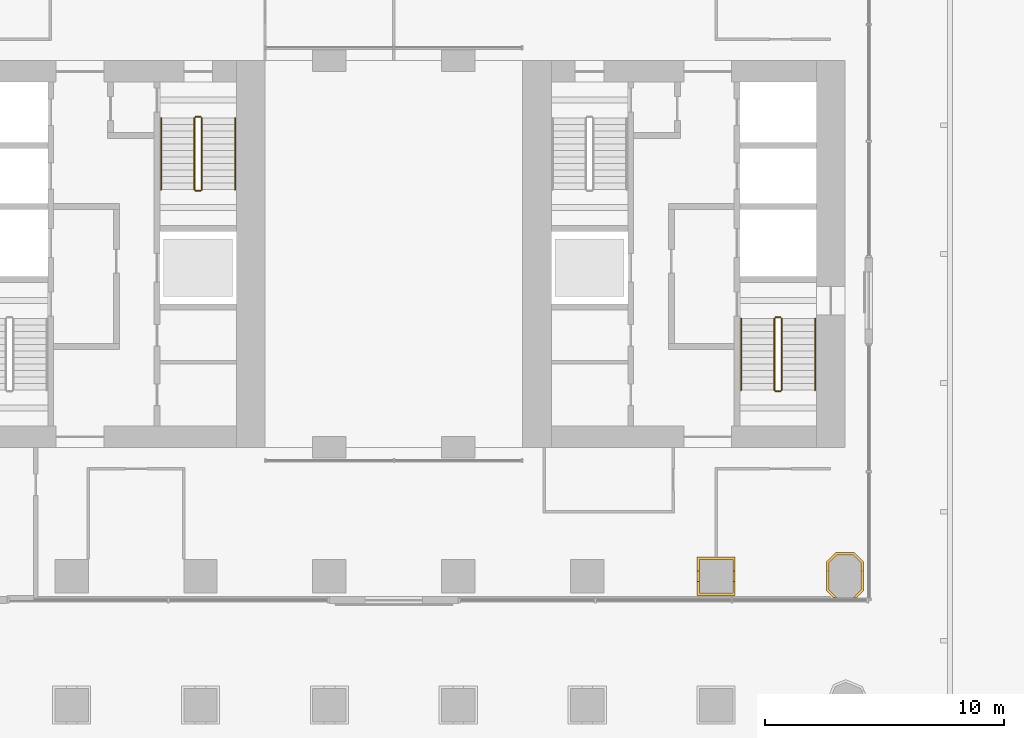
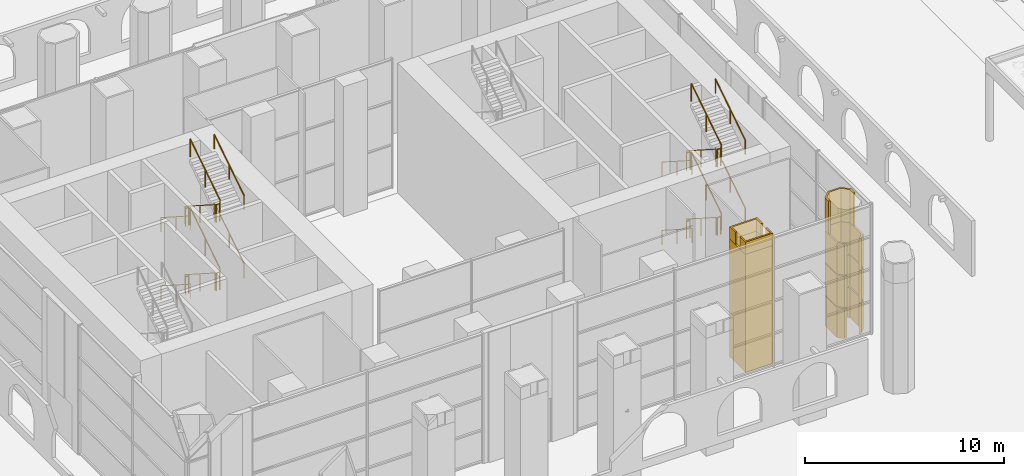
# One storey, part 43 of 54: 24 railings, 7 coverings.
"""IFC4 building model written with IfcOpenShell, lengths in metres."""

from ifc_helpers import new_model, si_unit, direction, frame, origin, origin_2d, place, context, subcontext, project, spatial, polyline, circle, outline, extrude, material, layer, layer_set, type_object, element, save


model = new_model("IFC4")

# Units and contexts
model_context = context("Model", 3, precision=1e-05, world=origin(), true_north=direction((0.0, 1.0)))
body_context = subcontext(model_context, "Body", "Model", "MODEL_VIEW")
ifc_project = project(units=[si_unit("LENGTHUNIT", "METRE"), si_unit("AREAUNIT", "SQUARE_METRE"), si_unit("VOLUMEUNIT", "CUBIC_METRE"), si_unit("PLANEANGLEUNIT", "RADIAN"), si_unit("MASSUNIT", "GRAM", prefix="KILO")], contexts=[model_context])

# Site, building, storey
site_placement = place(None, origin())
site = spatial("IfcSite", under=ifc_project, at=site_placement, CompositionType="ELEMENT")
building_placement = place(site_placement, origin())
building = spatial("IfcBuilding", under=site, at=building_placement, Name="Tabaq Tower and Sports Hall", CompositionType="ELEMENT")
storey_placement = place(building_placement, origin())
storey = spatial("IfcBuildingStorey", under=building, at=storey_placement, Name="L00", CompositionType="ELEMENT", Elevation=0.0)

# Coverings
ifc_material_1 = material(Name="Precast concrete C60/75", Category="concrete")
ifc_layer = layer(ifc_material_1, 0.10009765625)
ifc_layer_set = layer_set([ifc_layer], Name="Column cladding 100")
covering_type = type_object("IfcCoveringType", Name="Column cladding 100", PredefinedType="CLADDING", material=ifc_layer_set)
covering_1_placement = place(storey_placement, origin())
element("IfcCovering", 1, at=covering_1_placement, inside=storey, type_object=covering_type, Name="Column cladding L00 CC-8C-G", PredefinedType="CLADDING", context=body_context, shape_type="SweptSolid", body=[
    extrude(outline(polyline([(37.000244140625, 11.599609375), (38.599609375, 11.599609375), (38.599609375, 10.000244140625), (37.000244140625, 10.000244140625), (37.000244140625, 11.599609375)]), holes=[polyline([(38.500244140625, 10.099609375), (38.500244140625, 11.500244140625), (37.099609375, 11.500244140625), (37.099609375, 10.099609375), (38.500244140625, 10.099609375)])]), origin(), (0.0, 0.0, 1.0), 7.25),
])
covering_2_placement = place(storey_placement, frame((0.0, 0.0, 7.25)))
element("IfcCovering", 2, at=covering_2_placement, inside=storey, type_object=covering_type, Name="Column cladding L00 CC-8C-G head", PredefinedType="CLADDING", context=body_context, shape_type="SweptSolid", body=[
    extrude(outline(polyline([(38.599609375, 10.000244140625), (37.000244140625, 10.000244140625), (37.000244140625, 10.57470703125), (37.099609375, 10.57470703125), (37.099609375, 10.099609375), (38.500244140625, 10.099609375), (38.500244140625, 10.57470703125), (38.599609375, 10.57470703125), (38.599609375, 10.000244140625)])), origin(), (0.0, 0.0, 1.0), 0.75),
])
covering_3_placement = place(storey_placement, frame((0.0, 0.0, 7.25)))
element("IfcCovering", 3, at=covering_3_placement, inside=storey, type_object=covering_type, Name="Column cladding L00 CC-8C-G head 2", PredefinedType="CLADDING", context=body_context, shape_type="SweptSolid", body=[
    extrude(outline(polyline([(38.599609375, 11.599609375), (38.599609375, 11.025390625), (38.500244140625, 11.025390625), (38.500244140625, 11.500244140625), (37.099609375, 11.500244140625), (37.099609375, 11.025390625), (37.000244140625, 11.025390625), (37.000244140625, 11.599609375), (38.599609375, 11.599609375)])), origin(), (0.0, 0.0, 1.0), 0.75),
])
covering_4_placement = place(storey_placement, frame((0.0, 0.0, 0.1201171875)))
element("IfcCovering", 4, at=covering_4_placement, inside=storey, type_object=covering_type, Name="Column cladding L00 PC-9C-G", PredefinedType="CLADDING", context=body_context, shape_type="SweptSolid", body=[
    extrude(outline(polyline([(42.42529296875, 10.1962890625), (42.42529296875, 11.40380859375), (42.8212890625, 11.7998046875), (43.578857421875, 11.7998046875), (43.974609375, 11.40380859375), (43.974609375, 10.1962890625), (43.688720703125, 9.910400390625), (43.54833984375, 9.910400390625), (43.875244140625, 10.2373046875), (43.875244140625, 11.362548828125), (43.53759765625, 11.7001953125), (42.8623046875, 11.7001953125), (42.524658203125, 11.362548828125), (42.524658203125, 10.2373046875), (42.851806640625, 9.910400390625), (42.711181640625, 9.910400390625), (42.42529296875, 10.1962890625)])), origin(), (0.0, 0.0, 1.0), 1.83984375),
])
for number, where, name in (
    (5, (0.0, 0.0, 2.0400390625), "Column cladding L00 PC-9C-G 2"),
    (6, (0.0, 0.0, 4.0400390625), "Column cladding L00 PC-9C-G 3"),
):
    element("IfcCovering", number, at=place(storey_placement, frame(where)), inside=storey, type_object=covering_type, Name=name, PredefinedType="CLADDING", context=body_context, shape_type="SweptSolid", body=[
        extrude(outline(polyline([(42.42529296875, 10.1962890625), (42.42529296875, 11.40380859375), (42.8212890625, 11.7998046875), (43.578857421875, 11.7998046875), (43.974609375, 11.40380859375), (43.974609375, 10.1962890625), (43.688720703125, 9.910400390625), (43.54833984375, 9.910400390625), (43.875244140625, 10.2373046875), (43.875244140625, 11.362548828125), (43.53759765625, 11.7001953125), (42.8623046875, 11.7001953125), (42.524658203125, 11.362548828125), (42.524658203125, 10.2373046875), (42.851806640625, 9.910400390625), (42.711181640625, 9.910400390625), (42.42529296875, 10.1962890625)])), origin(), (0.0, 0.0, 1.0), 1.919921875),
    ])
covering_5_placement = place(storey_placement, frame((0.0, 0.0, 5.9599609375)))
element("IfcCovering", 7, at=covering_5_placement, inside=storey, type_object=covering_type, Name="Column cladding L00 PC-9C-G head", PredefinedType="CLADDING", context=body_context, shape_type="SweptSolid", body=[
    extrude(outline(polyline([(42.5244140625, 11.025634765625), (42.425537109375, 11.025634765625), (42.425537109375, 11.403564453125), (42.8212890625, 11.79931640625), (43.57861328125, 11.79931640625), (43.974365234375, 11.403564453125), (43.974365234375, 11.025634765625), (43.87548828125, 11.025634765625), (43.87548828125, 11.36279296875), (43.537841796875, 11.70068359375), (42.8623046875, 11.70068359375), (42.5244140625, 11.36279296875), (42.5244140625, 11.025634765625)])), origin(), (0.0, 0.0, 1.0), 2.0400390625),
])

# Railings
ifc_material_2 = material(Name="Stainless steel", Category="steel")
railing_type_1 = type_object("IfcRailingType", Name="Stair guard", PredefinedType="GUARDRAIL", material=ifc_material_2)
railing_1_placement = place(storey_placement, frame((15.949951171875, 30.0, 0.175048828125)))
element("IfcRailing", 8, at=railing_1_placement, inside=storey, type_object=railing_type_1, Name="L00 ST2 stair guard 1", PredefinedType="GUARDRAIL", context=body_context, shape_type="SweptSolid", body=[
    extrude(circle(Radius=0.02392578125, at=origin_2d()), frame((0.0, 0.0, 1.076171875), z_axis=(0.0, -0.841627708785, 0.540058144838), x_axis=(1.0, 0.0, 0.0)), (0.0, 0.0, 1.0), 3.564453125),
    extrude(circle(Radius=0.02099609375, at=origin_2d()), origin(), (0.0, 0.0, 1.0), 1.052001953125),
    extrude(circle(Radius=0.02099609375, at=origin_2d()), frame((0.0, -1.5, 0.96240234375)), (0.0, 0.0, 1.0), 1.052001953125),
    extrude(circle(Radius=0.02099609375, at=origin_2d()), frame((0.0, -3.0, 1.925048828125)), (0.0, 0.0, 1.0), 1.052001953125),
])
railing_2_placement = place(storey_placement, frame((16.0, 26.949951171875, 2.10009765625)))
element("IfcRailing", 9, at=railing_2_placement, inside=storey, type_object=railing_type_1, Name="L00 ST2 stair guard 2", PredefinedType="GUARDRAIL", context=body_context, shape_type="SweptSolid", body=[
    extrude(circle(Radius=0.02392578125, at=origin_2d()), frame((0.0, 0.0, 1.076171875), z_axis=(1.0, 0.0, 0.0), x_axis=(0.0, 1.0, 0.0)), (0.0, 0.0, 1.0), 0.199951171875),
    extrude(circle(Radius=0.02099609375, at=origin_2d()), origin(), (0.0, 0.0, 1.0), 1.052001953125),
    extrude(circle(Radius=0.02099609375, at=origin_2d()), frame((0.199951171875, 0.0, 0.0)), (0.0, 0.0, 1.0), 1.052001953125),
])
railing_3_placement = place(storey_placement, frame((16.25, 27.0, 2.27490234375)))
element("IfcRailing", 10, at=railing_3_placement, inside=storey, type_object=railing_type_1, Name="L00 ST2 stair guard 3", PredefinedType="GUARDRAIL", context=body_context, shape_type="SweptSolid", body=[
    extrude(circle(Radius=0.02392578125, at=origin_2d()), frame((0.0, 0.0, 1.076171875), z_axis=(0.0, 0.841627708785, 0.540058144838), x_axis=(-1.0, 0.0, 0.0)), (0.0, 0.0, 1.0), 3.564453125),
    extrude(circle(Radius=0.02099609375, at=origin_2d()), origin(), (0.0, 0.0, 1.0), 1.052001953125),
    extrude(circle(Radius=0.02099609375, at=origin_2d()), frame((0.0, 1.5, 0.96240234375)), (0.0, 0.0, 1.0), 1.052001953125),
    extrude(circle(Radius=0.02099609375, at=origin_2d()), frame((0.0, 3.0, 1.925048828125)), (0.0, 0.0, 1.0), 1.052001953125),
])
railing_4_placement = place(storey_placement, frame((16.0, 30.050048828125, 4.199951171875)))
element("IfcRailing", 11, at=railing_4_placement, inside=storey, type_object=railing_type_1, Name="L00 ST2 stair guard 4", PredefinedType="GUARDRAIL", context=body_context, shape_type="SweptSolid", body=[
    extrude(circle(Radius=0.02392578125, at=origin_2d()), frame((0.0, 0.0, 1.076171875), z_axis=(1.0, 0.0, 0.0), x_axis=(0.0, 1.0, 0.0)), (0.0, 0.0, 1.0), 0.199951171875),
    extrude(circle(Radius=0.02099609375, at=origin_2d()), origin(), (0.0, 0.0, 1.0), 1.052001953125),
    extrude(circle(Radius=0.02099609375, at=origin_2d()), frame((0.199951171875, 0.0, 0.0)), (0.0, 0.0, 1.0), 1.052001953125),
])
railing_5_placement = place(storey_placement, frame((15.949951171875, 30.0, 4.375)))
element("IfcRailing", 12, at=railing_5_placement, inside=storey, type_object=railing_type_1, Name="L00 ST2 stair guard 5", PredefinedType="GUARDRAIL", context=body_context, shape_type="SweptSolid", body=[
    extrude(circle(Radius=0.02392578125, at=origin_2d()), frame((0.0, 0.0, 1.076171875), z_axis=(0.0, -0.841627708785, 0.540058144838), x_axis=(1.0, 0.0, 0.0)), (0.0, 0.0, 1.0), 3.564453125),
    extrude(circle(Radius=0.02099609375, at=origin_2d()), origin(), (0.0, 0.0, 1.0), 1.052001953125),
    extrude(circle(Radius=0.02099609375, at=origin_2d()), frame((0.0, -1.5, 0.96240234375)), (0.0, 0.0, 1.0), 1.052001953125),
    extrude(circle(Radius=0.02099609375, at=origin_2d()), frame((0.0, -3.0, 1.925048828125)), (0.0, 0.0, 1.0), 1.052001953125),
])
railing_6_placement = place(storey_placement, frame((16.0, 26.949951171875, 6.300048828125)))
element("IfcRailing", 13, at=railing_6_placement, inside=storey, type_object=railing_type_1, Name="L00 ST2 stair guard 6", PredefinedType="GUARDRAIL", context=body_context, shape_type="SweptSolid", body=[
    extrude(circle(Radius=0.02392578125, at=origin_2d()), frame((0.0, 0.0, 1.076171875), z_axis=(1.0, 0.0, 0.0), x_axis=(0.0, 1.0, 0.0)), (0.0, 0.0, 1.0), 0.199951171875),
    extrude(circle(Radius=0.02099609375, at=origin_2d()), origin(), (0.0, 0.0, 1.0), 1.052001953125),
    extrude(circle(Radius=0.02099609375, at=origin_2d()), frame((0.199951171875, 0.0, 0.0)), (0.0, 0.0, 1.0), 1.052001953125),
])
railing_7_placement = place(storey_placement, frame((16.25, 27.0, 6.47509765625)))
element("IfcRailing", 14, at=railing_7_placement, inside=storey, type_object=railing_type_1, Name="L00 ST2 stair guard 7", PredefinedType="GUARDRAIL", context=body_context, shape_type="SweptSolid", body=[
    extrude(circle(Radius=0.02392578125, at=origin_2d()), frame((0.0, 0.0, 1.076171875), z_axis=(0.0, 0.841658839989, 0.540009626829), x_axis=(-1.0, 0.0, 0.0)), (0.0, 0.0, 1.0), 3.564453125),
    extrude(circle(Radius=0.02099609375, at=origin_2d()), origin(), (0.0, 0.0, 1.0), 1.052001953125),
    extrude(circle(Radius=0.02099609375, at=origin_2d()), frame((0.0, 1.5, 0.96240234375)), (0.0, 0.0, 1.0), 1.052001953125),
    extrude(circle(Radius=0.02099609375, at=origin_2d()), frame((0.0, 3.0, 1.9248046875)), (0.0, 0.0, 1.0), 1.052001953125),
])
railing_8_placement = place(storey_placement, frame((16.0, 30.050048828125, 0.0)))
element("IfcRailing", 15, at=railing_8_placement, inside=storey, type_object=railing_type_1, Name="L00 ST2 stair guard 8", PredefinedType="GUARDRAIL", context=body_context, shape_type="SweptSolid", body=[
    extrude(circle(Radius=0.02392578125, at=origin_2d()), frame((0.0, 0.0, 1.076171875), z_axis=(1.0, 0.0, 0.0), x_axis=(0.0, 1.0, 0.0)), (0.0, 0.0, 1.0), 0.199951171875),
    extrude(circle(Radius=0.02099609375, at=origin_2d()), origin(), (0.0, 0.0, 1.0), 1.052001953125),
    extrude(circle(Radius=0.02099609375, at=origin_2d()), frame((0.199951171875, 0.0, 0.0)), (0.0, 0.0, 1.0), 1.052001953125),
])
railing_9_placement = place(storey_placement, frame((40.25, 21.60009765625, 0.175048828125)))
element("IfcRailing", 16, at=railing_9_placement, inside=storey, type_object=railing_type_1, Name="L00 ST3 stair guard 1", PredefinedType="GUARDRAIL", context=body_context, shape_type="SweptSolid", body=[
    extrude(circle(Radius=0.02392578125, at=origin_2d()), frame((0.0, 0.0, 1.076171875), z_axis=(0.0, -0.841627708785, 0.540058144838), x_axis=(1.0, 0.0, 0.0)), (0.0, 0.0, 1.0), 3.564453125),
    extrude(circle(Radius=0.02099609375, at=origin_2d()), origin(), (0.0, 0.0, 1.0), 1.052001953125),
    extrude(circle(Radius=0.02099609375, at=origin_2d()), frame((0.0, -1.5, 0.96240234375)), (0.0, 0.0, 1.0), 1.052001953125),
    extrude(circle(Radius=0.02099609375, at=origin_2d()), frame((0.0, -3.0, 1.925048828125)), (0.0, 0.0, 1.0), 1.052001953125),
])
railing_10_placement = place(storey_placement, frame((40.300048828125, 18.550048828125, 2.10009765625)))
element("IfcRailing", 17, at=railing_10_placement, inside=storey, type_object=railing_type_1, Name="L00 ST3 stair guard 2", PredefinedType="GUARDRAIL", context=body_context, shape_type="SweptSolid", body=[
    extrude(circle(Radius=0.02392578125, at=origin_2d()), frame((0.0, 0.0, 1.076171875), z_axis=(1.0, 0.0, 0.0), x_axis=(0.0, 1.0, 0.0)), (0.0, 0.0, 1.0), 0.199951171875),
    extrude(circle(Radius=0.02099609375, at=origin_2d()), origin(), (0.0, 0.0, 1.0), 1.052001953125),
    extrude(circle(Radius=0.02099609375, at=origin_2d()), frame((0.199951171875, 0.0, 0.0)), (0.0, 0.0, 1.0), 1.052001953125),
])
railing_11_placement = place(storey_placement, frame((40.550048828125, 18.60009765625, 2.27490234375)))
element("IfcRailing", 18, at=railing_11_placement, inside=storey, type_object=railing_type_1, Name="L00 ST3 stair guard 3", PredefinedType="GUARDRAIL", context=body_context, shape_type="SweptSolid", body=[
    extrude(circle(Radius=0.02392578125, at=origin_2d()), frame((0.0, 0.0, 1.076171875), z_axis=(0.0, 0.841627708785, 0.540058144838), x_axis=(-1.0, 0.0, 0.0)), (0.0, 0.0, 1.0), 3.564453125),
    extrude(circle(Radius=0.02099609375, at=origin_2d()), origin(), (0.0, 0.0, 1.0), 1.052001953125),
    extrude(circle(Radius=0.02099609375, at=origin_2d()), frame((0.0, 1.5, 0.96240234375)), (0.0, 0.0, 1.0), 1.052001953125),
    extrude(circle(Radius=0.02099609375, at=origin_2d()), frame((0.0, 3.0, 1.925048828125)), (0.0, 0.0, 1.0), 1.052001953125),
])
railing_12_placement = place(storey_placement, frame((40.300048828125, 21.64990234375, 4.199951171875)))
element("IfcRailing", 19, at=railing_12_placement, inside=storey, type_object=railing_type_1, Name="L00 ST3 stair guard 4", PredefinedType="GUARDRAIL", context=body_context, shape_type="SweptSolid", body=[
    extrude(circle(Radius=0.02392578125, at=origin_2d()), frame((0.0, 0.0, 1.076171875), z_axis=(1.0, 0.0, 0.0), x_axis=(0.0, 1.0, 0.0)), (0.0, 0.0, 1.0), 0.199951171875),
    extrude(circle(Radius=0.02099609375, at=origin_2d()), origin(), (0.0, 0.0, 1.0), 1.052001953125),
    extrude(circle(Radius=0.02099609375, at=origin_2d()), frame((0.199951171875, 0.0, 0.0)), (0.0, 0.0, 1.0), 1.052001953125),
])
railing_13_placement = place(storey_placement, frame((40.25, 21.60009765625, 4.375)))
element("IfcRailing", 20, at=railing_13_placement, inside=storey, type_object=railing_type_1, Name="L00 ST3 stair guard 5", PredefinedType="GUARDRAIL", context=body_context, shape_type="SweptSolid", body=[
    extrude(circle(Radius=0.02392578125, at=origin_2d()), frame((0.0, 0.0, 1.076171875), z_axis=(0.0, -0.841627708785, 0.540058144838), x_axis=(1.0, 0.0, 0.0)), (0.0, 0.0, 1.0), 3.564453125),
    extrude(circle(Radius=0.02099609375, at=origin_2d()), origin(), (0.0, 0.0, 1.0), 1.052001953125),
    extrude(circle(Radius=0.02099609375, at=origin_2d()), frame((0.0, -1.5, 0.96240234375)), (0.0, 0.0, 1.0), 1.052001953125),
    extrude(circle(Radius=0.02099609375, at=origin_2d()), frame((0.0, -3.0, 1.925048828125)), (0.0, 0.0, 1.0), 1.052001953125),
])
railing_14_placement = place(storey_placement, frame((40.300048828125, 18.550048828125, 6.300048828125)))
element("IfcRailing", 21, at=railing_14_placement, inside=storey, type_object=railing_type_1, Name="L00 ST3 stair guard 6", PredefinedType="GUARDRAIL", context=body_context, shape_type="SweptSolid", body=[
    extrude(circle(Radius=0.02392578125, at=origin_2d()), frame((0.0, 0.0, 1.076171875), z_axis=(1.0, 0.0, 0.0), x_axis=(0.0, 1.0, 0.0)), (0.0, 0.0, 1.0), 0.199951171875),
    extrude(circle(Radius=0.02099609375, at=origin_2d()), origin(), (0.0, 0.0, 1.0), 1.052001953125),
    extrude(circle(Radius=0.02099609375, at=origin_2d()), frame((0.199951171875, 0.0, 0.0)), (0.0, 0.0, 1.0), 1.052001953125),
])
railing_15_placement = place(storey_placement, frame((40.550048828125, 18.60009765625, 6.47509765625)))
element("IfcRailing", 22, at=railing_15_placement, inside=storey, type_object=railing_type_1, Name="L00 ST3 stair guard 7", PredefinedType="GUARDRAIL", context=body_context, shape_type="SweptSolid", body=[
    extrude(circle(Radius=0.02392578125, at=origin_2d()), frame((0.0, 0.0, 1.076171875), z_axis=(0.0, 0.841658839989, 0.540009626829), x_axis=(-1.0, 0.0, 0.0)), (0.0, 0.0, 1.0), 3.564453125),
    extrude(circle(Radius=0.02099609375, at=origin_2d()), origin(), (0.0, 0.0, 1.0), 1.052001953125),
    extrude(circle(Radius=0.02099609375, at=origin_2d()), frame((0.0, 1.5, 0.96240234375)), (0.0, 0.0, 1.0), 1.052001953125),
    extrude(circle(Radius=0.02099609375, at=origin_2d()), frame((0.0, 3.0, 1.9248046875)), (0.0, 0.0, 1.0), 1.052001953125),
])
railing_16_placement = place(storey_placement, frame((40.300048828125, 21.64990234375, 0.0)))
element("IfcRailing", 23, at=railing_16_placement, inside=storey, type_object=railing_type_1, Name="L00 ST3 stair guard 8", PredefinedType="GUARDRAIL", context=body_context, shape_type="SweptSolid", body=[
    extrude(circle(Radius=0.02392578125, at=origin_2d()), frame((0.0, 0.0, 1.076171875), z_axis=(1.0, 0.0, 0.0), x_axis=(0.0, 1.0, 0.0)), (0.0, 0.0, 1.0), 0.199951171875),
    extrude(circle(Radius=0.02099609375, at=origin_2d()), origin(), (0.0, 0.0, 1.0), 1.052001953125),
    extrude(circle(Radius=0.02099609375, at=origin_2d()), frame((0.199951171875, 0.0, 0.0)), (0.0, 0.0, 1.0), 1.052001953125),
])
ifc_material_3 = material(Name="Stainless steel", Category="steel")
railing_type_2 = type_object("IfcRailingType", Name="Stair handrail", PredefinedType="HANDRAIL", material=ifc_material_3)
railing_17_placement = place(storey_placement, frame((14.550048828125, 30.0, 0.175048828125)))
element("IfcRailing", 24, at=railing_17_placement, inside=storey, type_object=railing_type_2, Name="L00 ST2 stair handrail 1", PredefinedType="HANDRAIL", context=body_context, shape_type="SweptSolid", body=[
    extrude(circle(Radius=0.02392578125, at=origin_2d()), frame((0.0, 0.0, 0.8759765625), z_axis=(0.0, -0.841627708785, 0.540058144838), x_axis=(1.0, 0.0, 0.0)), (0.0, 0.0, 1.0), 3.564453125),
    extrude(circle(Radius=0.02099609375, at=origin_2d()), origin(), (0.0, 0.0, 1.0), 0.851806640625),
    extrude(circle(Radius=0.02099609375, at=origin_2d()), frame((0.0, -1.5, 0.96240234375)), (0.0, 0.0, 1.0), 0.851806640625),
    extrude(circle(Radius=0.02099609375, at=origin_2d()), frame((0.0, -3.0, 1.925048828125)), (0.0, 0.0, 1.0), 0.851806640625),
])
railing_18_placement = place(storey_placement, frame((17.64990234375, 27.0, 2.27490234375)))
element("IfcRailing", 25, at=railing_18_placement, inside=storey, type_object=railing_type_2, Name="L00 ST2 stair handrail 2", PredefinedType="HANDRAIL", context=body_context, shape_type="SweptSolid", body=[
    extrude(circle(Radius=0.02392578125, at=origin_2d()), frame((0.0, 0.0, 0.8759765625), z_axis=(0.0, 0.841627708785, 0.540058144838), x_axis=(-1.0, 0.0, 0.0)), (0.0, 0.0, 1.0), 3.564453125),
    extrude(circle(Radius=0.02099609375, at=origin_2d()), origin(), (0.0, 0.0, 1.0), 0.851806640625),
    extrude(circle(Radius=0.02099609375, at=origin_2d()), frame((0.0, 1.5, 0.96240234375)), (0.0, 0.0, 1.0), 0.851806640625),
    extrude(circle(Radius=0.02099609375, at=origin_2d()), frame((0.0, 3.0, 1.925048828125)), (0.0, 0.0, 1.0), 0.851806640625),
])
railing_19_placement = place(storey_placement, frame((14.550048828125, 30.0, 4.375)))
element("IfcRailing", 26, at=railing_19_placement, inside=storey, type_object=railing_type_2, Name="L00 ST2 stair handrail 3", PredefinedType="HANDRAIL", context=body_context, shape_type="SweptSolid", body=[
    extrude(circle(Radius=0.02392578125, at=origin_2d()), frame((0.0, 0.0, 0.8759765625), z_axis=(0.0, -0.841627708785, 0.540058144838), x_axis=(1.0, 0.0, 0.0)), (0.0, 0.0, 1.0), 3.564453125),
    extrude(circle(Radius=0.02099609375, at=origin_2d()), origin(), (0.0, 0.0, 1.0), 0.851806640625),
    extrude(circle(Radius=0.02099609375, at=origin_2d()), frame((0.0, -1.5, 0.96240234375)), (0.0, 0.0, 1.0), 0.851806640625),
    extrude(circle(Radius=0.02099609375, at=origin_2d()), frame((0.0, -3.0, 1.925048828125)), (0.0, 0.0, 1.0), 0.851806640625),
])
railing_20_placement = place(storey_placement, frame((17.64990234375, 27.0, 6.47509765625)))
element("IfcRailing", 27, at=railing_20_placement, inside=storey, type_object=railing_type_2, Name="L00 ST2 stair handrail 4", PredefinedType="HANDRAIL", context=body_context, shape_type="SweptSolid", body=[
    extrude(circle(Radius=0.02392578125, at=origin_2d()), frame((0.0, 0.0, 0.8759765625), z_axis=(0.0, 0.841658839989, 0.540009626829), x_axis=(-1.0, 0.0, 0.0)), (0.0, 0.0, 1.0), 3.564453125),
    extrude(circle(Radius=0.02099609375, at=origin_2d()), origin(), (0.0, 0.0, 1.0), 0.851806640625),
    extrude(circle(Radius=0.02099609375, at=origin_2d()), frame((0.0, 1.5, 0.96240234375)), (0.0, 0.0, 1.0), 0.851806640625),
    extrude(circle(Radius=0.02099609375, at=origin_2d()), frame((0.0, 3.0, 1.9248046875)), (0.0, 0.0, 1.0), 0.851806640625),
])
railing_21_placement = place(storey_placement, frame((38.85009765625, 21.60009765625, 0.175048828125)))
element("IfcRailing", 28, at=railing_21_placement, inside=storey, type_object=railing_type_2, Name="L00 ST3 stair handrail 1", PredefinedType="HANDRAIL", context=body_context, shape_type="SweptSolid", body=[
    extrude(circle(Radius=0.02392578125, at=origin_2d()), frame((0.0, 0.0, 0.8759765625), z_axis=(0.0, -0.841627708785, 0.540058144838), x_axis=(1.0, 0.0, 0.0)), (0.0, 0.0, 1.0), 3.564453125),
    extrude(circle(Radius=0.02099609375, at=origin_2d()), origin(), (0.0, 0.0, 1.0), 0.851806640625),
    extrude(circle(Radius=0.02099609375, at=origin_2d()), frame((0.0, -1.5, 0.96240234375)), (0.0, 0.0, 1.0), 0.851806640625),
    extrude(circle(Radius=0.02099609375, at=origin_2d()), frame((0.0, -3.0, 1.925048828125)), (0.0, 0.0, 1.0), 0.851806640625),
])
railing_22_placement = place(storey_placement, frame((41.949951171875, 18.60009765625, 2.27490234375)))
element("IfcRailing", 29, at=railing_22_placement, inside=storey, type_object=railing_type_2, Name="L00 ST3 stair handrail 2", PredefinedType="HANDRAIL", context=body_context, shape_type="SweptSolid", body=[
    extrude(circle(Radius=0.02392578125, at=origin_2d()), frame((0.0, 0.0, 0.8759765625), z_axis=(0.0, 0.841627708785, 0.540058144838), x_axis=(-1.0, 0.0, 0.0)), (0.0, 0.0, 1.0), 3.564453125),
    extrude(circle(Radius=0.02099609375, at=origin_2d()), origin(), (0.0, 0.0, 1.0), 0.851806640625),
    extrude(circle(Radius=0.02099609375, at=origin_2d()), frame((0.0, 1.5, 0.96240234375)), (0.0, 0.0, 1.0), 0.851806640625),
    extrude(circle(Radius=0.02099609375, at=origin_2d()), frame((0.0, 3.0, 1.925048828125)), (0.0, 0.0, 1.0), 0.851806640625),
])
railing_23_placement = place(storey_placement, frame((38.85009765625, 21.60009765625, 4.375)))
element("IfcRailing", 30, at=railing_23_placement, inside=storey, type_object=railing_type_2, Name="L00 ST3 stair handrail 3", PredefinedType="HANDRAIL", context=body_context, shape_type="SweptSolid", body=[
    extrude(circle(Radius=0.02392578125, at=origin_2d()), frame((0.0, 0.0, 0.8759765625), z_axis=(0.0, -0.841627708785, 0.540058144838), x_axis=(1.0, 0.0, 0.0)), (0.0, 0.0, 1.0), 3.564453125),
    extrude(circle(Radius=0.02099609375, at=origin_2d()), origin(), (0.0, 0.0, 1.0), 0.851806640625),
    extrude(circle(Radius=0.02099609375, at=origin_2d()), frame((0.0, -1.5, 0.96240234375)), (0.0, 0.0, 1.0), 0.851806640625),
    extrude(circle(Radius=0.02099609375, at=origin_2d()), frame((0.0, -3.0, 1.925048828125)), (0.0, 0.0, 1.0), 0.851806640625),
])
railing_24_placement = place(storey_placement, frame((41.949951171875, 18.60009765625, 6.47509765625)))
element("IfcRailing", 31, at=railing_24_placement, inside=storey, type_object=railing_type_2, Name="L00 ST3 stair handrail 4", PredefinedType="HANDRAIL", context=body_context, shape_type="SweptSolid", body=[
    extrude(circle(Radius=0.02392578125, at=origin_2d()), frame((0.0, 0.0, 0.8759765625), z_axis=(0.0, 0.841658839989, 0.540009626829), x_axis=(-1.0, 0.0, 0.0)), (0.0, 0.0, 1.0), 3.564453125),
    extrude(circle(Radius=0.02099609375, at=origin_2d()), origin(), (0.0, 0.0, 1.0), 0.851806640625),
    extrude(circle(Radius=0.02099609375, at=origin_2d()), frame((0.0, 1.5, 0.96240234375)), (0.0, 0.0, 1.0), 0.851806640625),
    extrude(circle(Radius=0.02099609375, at=origin_2d()), frame((0.0, 3.0, 1.9248046875)), (0.0, 0.0, 1.0), 0.851806640625),
])

save(model, "model.ifc")
